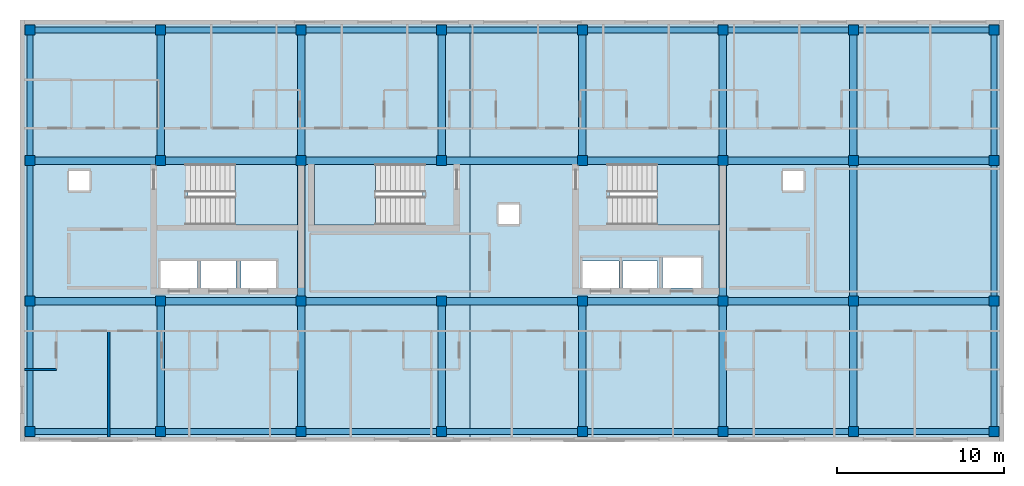
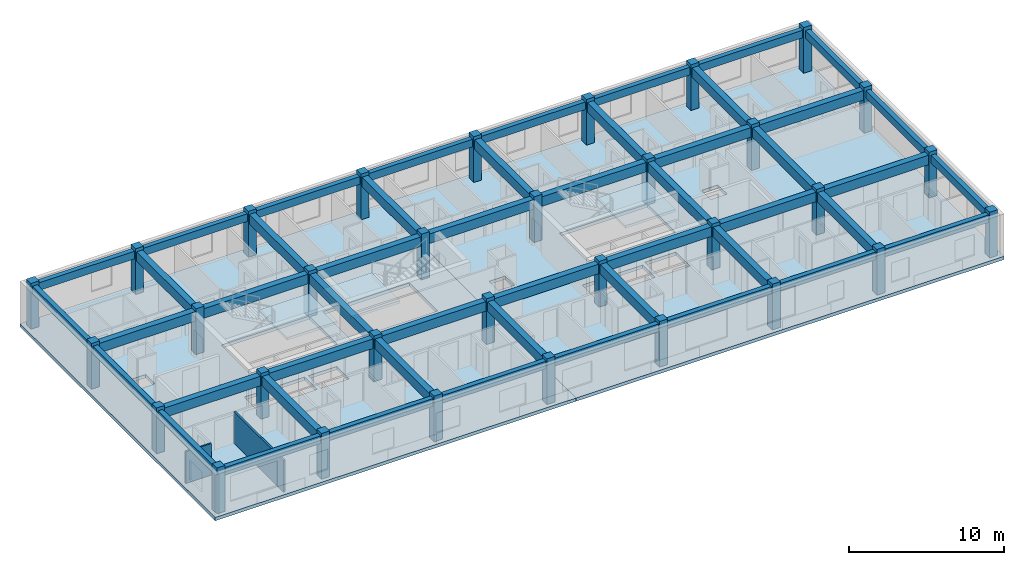
# One storey, part 1 of 9: 49 beams, 32 columns, 5 slabs, 2 walls, 3 elements without a shape of their own.
"""IFC4 building model written with IfcOpenShell, lengths in metres."""

from ifc_helpers import new_model, si_unit, direction, frame, frame_2d, origin, origin_2d, place, context, subcontext, project, spatial, polyline, rectangle, outline, extrude, material, layer, layer_set, material_profile, profile_set, type_object, element, aggregate, save


model = new_model("IFC4")

# Units and contexts
model_context = context("Model", 3, precision=1e-05, world=origin(), true_north=direction((0.0, 1.0)))
body_context = subcontext(model_context, "Body", "Model", "MODEL_VIEW")
ifc_project = project(units=[si_unit("LENGTHUNIT", "METRE"), si_unit("AREAUNIT", "SQUARE_METRE"), si_unit("VOLUMEUNIT", "CUBIC_METRE"), si_unit("PLANEANGLEUNIT", "RADIAN"), si_unit("MASSUNIT", "GRAM", prefix="KILO")], contexts=[model_context])

# Site, building, storey
site_placement = place(None, origin())
site = spatial("IfcSite", under=ifc_project, at=site_placement, CompositionType="ELEMENT")
building_placement = place(site_placement, origin())
building = spatial("IfcBuilding", under=site, at=building_placement, Name="Zayran Congress Hotel", CompositionType="ELEMENT")
storey_placement = place(building_placement, frame((0.0, 0.0, 37.199951171875)))
storey = spatial("IfcBuildingStorey", under=building, at=storey_placement, Name="L09", CompositionType="ELEMENT", Elevation=37.199951171875)

# Columns
ifc_material_1 = material(Name="Concrete C40/50", Category="concrete")
ifc_material_profile_1 = material_profile(ifc_material_1, rectangle(XDim=0.60009765625, YDim=0.60009765625, at=origin_2d()), Name="RC 600x600")
ifc_profile_set_1 = profile_set([ifc_material_profile_1], Name="Concrete C40/50")
column_type = type_object("IfcColumnType", Name="TP-CL-04", PredefinedType="COLUMN", material=ifc_profile_set_1)
for number, where, z_axis, x_axis, name in (
    (1, (17.39990234375, 9.39990234375, 0.0), (0.0, 0.0, 1.0), (1.0, 0.0, 0.0), "COL-V5-L09-1292"),
    (2, (17.39990234375, 17.199951171875, 0.0), (0.0, 0.0, 1.0), (1.0, 0.0, 0.0), "COL-V5-L09-1293"),
    (3, (17.39990234375, 25.60009765625, 0.0), (0.0, 0.0, 1.0), (1.0, 0.0, 0.0), "COL-V5-L09-1294"),
    (4, (17.39990234375, 33.39990234375, 0.0), (0.0, 0.0, 1.0), (1.0, 0.0, 0.0), "COL-V5-L09-1295"),
    (5, (25.199951171875, 9.39990234375, 0.0), (0.0, 0.0, 1.0), (1.0, 0.0, 0.0), "COL-V5-L09-1296"),
    (6, (25.199951171875, 17.199951171875, 0.0), (0.0, 0.0, 1.0), (1.0, 0.0, 0.0), "COL-V5-L09-1297"),
    (7, (25.199951171875, 25.60009765625, 0.0), (0.0, 0.0, 1.0), (1.0, 0.0, 0.0), "COL-V5-L09-1298"),
    (8, (25.199951171875, 33.39990234375, 0.0), (0.0, 0.0, 1.0), (1.0, 0.0, 0.0), "COL-V5-L09-1299"),
    (9, (33.60009765625, 9.39990234375, 0.0), (0.0, 0.0, 1.0), (1.0, 0.0, 0.0), "COL-V5-L09-1300"),
    (10, (33.60009765625, 17.199951171875, 0.0), (0.0, 0.0, 1.0), (1.0, 0.0, 0.0), "COL-V5-L09-1301"),
    (11, (33.60009765625, 25.60009765625, 0.0), (0.0, 0.0, 1.0), (1.0, 0.0, 0.0), "COL-V5-L09-1302"),
    (12, (33.60009765625, 33.39990234375, 0.0), (0.0, 0.0, 1.0), (1.0, 0.0, 0.0), "COL-V5-L09-1303"),
    (13, (42.0, 9.39990234375, 0.0), (0.0, 0.0, 1.0), (1.0, 0.0, 0.0), "COL-V5-L09-1304"),
    (14, (42.0, 17.199951171875, 0.0), (0.0, 0.0, 1.0), (1.0, 0.0, 0.0), "COL-V5-L09-1305"),
    (15, (42.0, 25.60009765625, 0.0), (0.0, 0.0, 1.0), (1.0, 0.0, 0.0), "COL-V5-L09-1306"),
    (16, (42.0, 33.39990234375, 0.0), (0.0, 0.0, 1.0), (1.0, 0.0, 0.0), "COL-V5-L09-1307"),
    (17, (50.39990234375, 9.39990234375, 0.0), (0.0, 0.0, 1.0), (1.0, 0.0, 0.0), "COL-V5-L09-1308"),
    (18, (50.39990234375, 17.199951171875, 0.0), (0.0, 0.0, 1.0), (1.0, 0.0, 0.0), "COL-V5-L09-1309"),
    (19, (50.39990234375, 25.60009765625, 0.0), (0.0, 0.0, 1.0), (1.0, 0.0, 0.0), "COL-V5-L09-1310"),
    (20, (50.39990234375, 33.39990234375, 0.0), (0.0, 0.0, 1.0), (1.0, 0.0, 0.0), "COL-V5-L09-1311"),
    (21, (58.800048828125, 9.39990234375, 0.0), (0.0, 0.0, 1.0), (1.0, 0.0, 0.0), "COL-V5-L09-1312"),
    (22, (58.800048828125, 17.199951171875, 0.0), (0.0, 0.0, 1.0), (1.0, 0.0, 0.0), "COL-V5-L09-1313"),
    (23, (58.800048828125, 25.60009765625, 0.0), (0.0, 0.0, 1.0), (1.0, 0.0, 0.0), "COL-V5-L09-1314"),
    (24, (58.800048828125, 33.39990234375, 0.0), (0.0, 0.0, 1.0), (1.0, 0.0, 0.0), "COL-V5-L09-1315"),
    (25, (66.60009765625, 9.39990234375, 0.0), (0.0, 0.0, 1.0), (1.0, 0.0, 0.0), "COL-V5-L09-1316"),
    (26, (66.60009765625, 17.199951171875, 0.0), (0.0, 0.0, 1.0), (1.0, 0.0, 0.0), "COL-V5-L09-1317"),
    (27, (66.60009765625, 25.60009765625, 0.0), (0.0, 0.0, 1.0), (1.0, 0.0, 0.0), "COL-V5-L09-1318"),
    (28, (66.60009765625, 33.39990234375, 0.0), (0.0, 0.0, 1.0), (1.0, 0.0, 0.0), "COL-V5-L09-1319"),
    (29, (75.0, 9.39990234375, 0.0), (0.0, 0.0, 1.0), (1.0, 0.0, 0.0), "COL-V5-L09-1320"),
    (30, (75.0, 17.199951171875, 0.0), (0.0, 0.0, 1.0), (1.0, 0.0, 0.0), "COL-V5-L09-1321"),
    (31, (75.0, 25.60009765625, 0.0), (0.0, 0.0, 1.0), (1.0, 0.0, 0.0), "COL-V5-L09-1322"),
    (32, (75.0, 33.39990234375, 0.0), (0.0, 0.0, 1.0), (1.0, 0.0, 0.0), "COL-V5-L09-1323"),
):
    element("IfcColumn", number, at=place(storey_placement, frame(where, z_axis=z_axis, x_axis=x_axis)), inside=storey, type_object=column_type, Name=name, PredefinedType="COLUMN", context=body_context, shape_type="SweptSolid", body=[
        extrude(rectangle(XDim=0.60009765625, YDim=0.60009765625, at=origin_2d()), origin(), (0.0, 0.0, 1.0), 3.60009765625),
    ])

# Beams
ifc_material_profile_2 = material_profile(ifc_material_1, rectangle(XDim=0.449951171875, YDim=0.75, at=origin_2d()), Name="RC 450x750")
ifc_profile_set_2 = profile_set([ifc_material_profile_2], Name="Concrete C40/50")
beam_type_1 = type_object("IfcBeamType", Name="TP-BM-02", PredefinedType="BEAM", material=ifc_profile_set_2)
beam_1_placement = place(storey_placement, frame((17.39990234375, 17.199951171875, 2.965087890625), z_axis=(1.0, 0.0, 0.0), x_axis=(0.0, 1.0, 0.0)))
element("IfcBeam", 33, at=beam_1_placement, inside=storey, type_object=beam_type_1, Name="BM-V5-L09-2272", PredefinedType="BEAM", context=body_context, shape_type="SweptSolid", body=[
    extrude(rectangle(XDim=0.449951171875, YDim=0.75, at=origin_2d()), origin(), (0.0, 0.0, 1.0), 7.800048828125),
])
beam_2_placement = place(storey_placement, frame((25.199951171875, 17.199951171875, 2.965087890625), z_axis=(1.0, 0.0, 0.0), x_axis=(0.0, 1.0, 0.0)))
element("IfcBeam", 34, at=beam_2_placement, inside=storey, type_object=beam_type_1, Name="BM-V5-L09-2273", PredefinedType="BEAM", context=body_context, shape_type="SweptSolid", body=[
    extrude(rectangle(XDim=0.449951171875, YDim=0.75, at=origin_2d()), origin(), (0.0, 0.0, 1.0), 8.400146484375),
])
for number, where, z_axis, x_axis, name in (
    (35, (33.60009765625, 17.199951171875, 2.965087890625), (1.0, 0.0, 0.0), (0.0, 1.0, 0.0), "BM-V5-L09-2274"),
    (36, (42.0, 17.199951171875, 2.965087890625), (1.0, 0.0, 0.0), (0.0, 1.0, 0.0), "BM-V5-L09-2275"),
):
    element("IfcBeam", number, at=place(storey_placement, frame(where, z_axis=z_axis, x_axis=x_axis)), inside=storey, type_object=beam_type_1, Name=name, PredefinedType="BEAM", context=body_context, shape_type="SweptSolid", body=[
        extrude(rectangle(XDim=0.449951171875, YDim=0.75, at=origin_2d()), origin(), (0.0, 0.0, 1.0), 8.39990234375),
    ])
beam_3_placement = place(storey_placement, frame((50.39990234375, 17.199951171875, 2.965087890625), z_axis=(1.0, 0.0, 0.0), x_axis=(0.0, 1.0, 0.0)))
element("IfcBeam", 37, at=beam_3_placement, inside=storey, type_object=beam_type_1, Name="BM-V5-L09-2276", PredefinedType="BEAM", context=body_context, shape_type="SweptSolid", body=[
    extrude(rectangle(XDim=0.449951171875, YDim=0.75, at=origin_2d()), origin(), (0.0, 0.0, 1.0), 8.400146484375),
])
beam_4_placement = place(storey_placement, frame((58.800048828125, 17.199951171875, 2.965087890625), z_axis=(1.0, 0.0, 0.0), x_axis=(0.0, 1.0, 0.0)))
element("IfcBeam", 38, at=beam_4_placement, inside=storey, type_object=beam_type_1, Name="BM-V5-L09-2277", PredefinedType="BEAM", context=body_context, shape_type="SweptSolid", body=[
    extrude(rectangle(XDim=0.449951171875, YDim=0.75, at=origin_2d()), origin(), (0.0, 0.0, 1.0), 7.800048828125),
])
beam_5_placement = place(storey_placement, frame((66.60009765625, 17.199951171875, 2.945068359375), z_axis=(1.0, 0.0, 0.0), x_axis=(0.0, 1.0, 0.0)))
element("IfcBeam", 39, at=beam_5_placement, inside=storey, type_object=beam_type_1, Name="BM-V5-L09-2278", PredefinedType="BEAM", context=body_context, shape_type="SweptSolid", body=[
    extrude(rectangle(XDim=0.449951171875, YDim=0.75, at=origin_2d()), origin(), (0.0, 0.0, 1.0), 8.39990234375),
])
beam_6_placement = place(storey_placement, frame((17.39990234375, 25.60009765625, 2.965087890625), z_axis=(1.0, 0.0, 0.0), x_axis=(0.0, 1.0, 0.0)))
element("IfcBeam", 40, at=beam_6_placement, inside=storey, type_object=beam_type_1, Name="BM-V5-L09-2279", PredefinedType="BEAM", context=body_context, shape_type="SweptSolid", body=[
    extrude(rectangle(XDim=0.449951171875, YDim=0.75, at=origin_2d()), origin(), (0.0, 0.0, 1.0), 7.800048828125),
])
beam_7_placement = place(storey_placement, frame((25.199951171875, 25.60009765625, 2.965087890625), z_axis=(1.0, 0.0, 0.0), x_axis=(0.0, 1.0, 0.0)))
element("IfcBeam", 41, at=beam_7_placement, inside=storey, type_object=beam_type_1, Name="BM-V5-L09-2280", PredefinedType="BEAM", context=body_context, shape_type="SweptSolid", body=[
    extrude(rectangle(XDim=0.449951171875, YDim=0.75, at=origin_2d()), origin(), (0.0, 0.0, 1.0), 8.400146484375),
])
for number, where, z_axis, x_axis, name in (
    (42, (33.60009765625, 25.60009765625, 2.965087890625), (1.0, 0.0, 0.0), (0.0, 1.0, 0.0), "BM-V5-L09-2281"),
    (43, (42.0, 25.60009765625, 2.965087890625), (1.0, 0.0, 0.0), (0.0, 1.0, 0.0), "BM-V5-L09-2282"),
):
    element("IfcBeam", number, at=place(storey_placement, frame(where, z_axis=z_axis, x_axis=x_axis)), inside=storey, type_object=beam_type_1, Name=name, PredefinedType="BEAM", context=body_context, shape_type="SweptSolid", body=[
        extrude(rectangle(XDim=0.449951171875, YDim=0.75, at=origin_2d()), origin(), (0.0, 0.0, 1.0), 8.39990234375),
    ])
beam_8_placement = place(storey_placement, frame((50.39990234375, 25.60009765625, 2.965087890625), z_axis=(1.0, 0.0, 0.0), x_axis=(0.0, 1.0, 0.0)))
element("IfcBeam", 44, at=beam_8_placement, inside=storey, type_object=beam_type_1, Name="BM-V5-L09-2283", PredefinedType="BEAM", context=body_context, shape_type="SweptSolid", body=[
    extrude(rectangle(XDim=0.449951171875, YDim=0.75, at=origin_2d()), origin(), (0.0, 0.0, 1.0), 8.400146484375),
])
beam_9_placement = place(storey_placement, frame((58.800048828125, 25.60009765625, 2.965087890625), z_axis=(1.0, 0.0, 0.0), x_axis=(0.0, 1.0, 0.0)))
element("IfcBeam", 45, at=beam_9_placement, inside=storey, type_object=beam_type_1, Name="BM-V5-L09-2284", PredefinedType="BEAM", context=body_context, shape_type="SweptSolid", body=[
    extrude(rectangle(XDim=0.449951171875, YDim=0.75, at=origin_2d()), origin(), (0.0, 0.0, 1.0), 7.800048828125),
])
beam_10_placement = place(storey_placement, frame((66.60009765625, 25.60009765625, 2.945068359375), z_axis=(1.0, 0.0, 0.0), x_axis=(0.0, 1.0, 0.0)))
element("IfcBeam", 46, at=beam_10_placement, inside=storey, type_object=beam_type_1, Name="BM-V5-L09-2285", PredefinedType="BEAM", context=body_context, shape_type="SweptSolid", body=[
    extrude(rectangle(XDim=0.449951171875, YDim=0.75, at=origin_2d()), origin(), (0.0, 0.0, 1.0), 8.39990234375),
])
beam_11_placement = place(storey_placement, frame((25.199951171875, 9.39990234375, 2.965087890625), z_axis=(0.0, 1.0, 0.0), x_axis=(-1.0, 0.0, 0.0)))
element("IfcBeam", 47, at=beam_11_placement, inside=storey, type_object=beam_type_1, Name="BM-V5-L09-2296", PredefinedType="BEAM", context=body_context, shape_type="SweptSolid", body=[
    extrude(rectangle(XDim=0.449951171875, YDim=0.75, at=origin_2d()), origin(), (0.0, 0.0, 1.0), 7.800048828125),
])
beam_12_placement = place(storey_placement, frame((25.199951171875, 25.60009765625, 2.965087890625), z_axis=(0.0, 1.0, 0.0), x_axis=(-1.0, 0.0, 0.0)))
element("IfcBeam", 48, at=beam_12_placement, inside=storey, type_object=beam_type_1, Name="BM-V5-L09-2297", PredefinedType="BEAM", context=body_context, shape_type="SweptSolid", body=[
    extrude(rectangle(XDim=0.449951171875, YDim=0.75, at=origin_2d()), origin(), (0.0, 0.0, 1.0), 7.7998046875),
])
beam_13_placement = place(storey_placement, frame((33.60009765625, 9.39990234375, 2.965087890625), z_axis=(0.0, 1.0, 0.0), x_axis=(-1.0, 0.0, 0.0)))
element("IfcBeam", 49, at=beam_13_placement, inside=storey, type_object=beam_type_1, Name="BM-V5-L09-2298", PredefinedType="BEAM", context=body_context, shape_type="SweptSolid", body=[
    extrude(rectangle(XDim=0.449951171875, YDim=0.75, at=origin_2d()), origin(), (0.0, 0.0, 1.0), 7.800048828125),
])
beam_14_placement = place(storey_placement, frame((33.60009765625, 17.199951171875, 2.965087890625), z_axis=(0.0, 1.0, 0.0), x_axis=(-1.0, 0.0, 0.0)))
element("IfcBeam", 50, at=beam_14_placement, inside=storey, type_object=beam_type_1, Name="BM-V5-L09-2299", PredefinedType="BEAM", context=body_context, shape_type="SweptSolid", body=[
    extrude(rectangle(XDim=0.449951171875, YDim=0.75, at=origin_2d()), origin(), (0.0, 0.0, 1.0), 8.400146484375),
])
beam_15_placement = place(storey_placement, frame((33.60009765625, 25.60009765625, 2.965087890625), z_axis=(0.0, 1.0, 0.0), x_axis=(-1.0, 0.0, 0.0)))
element("IfcBeam", 51, at=beam_15_placement, inside=storey, type_object=beam_type_1, Name="BM-V5-L09-2300", PredefinedType="BEAM", context=body_context, shape_type="SweptSolid", body=[
    extrude(rectangle(XDim=0.449951171875, YDim=0.75, at=origin_2d()), origin(), (0.0, 0.0, 1.0), 7.7998046875),
])
beam_16_placement = place(storey_placement, frame((42.0, 9.39990234375, 2.965087890625), z_axis=(0.0, 1.0, 0.0), x_axis=(-1.0, 0.0, 0.0)))
element("IfcBeam", 52, at=beam_16_placement, inside=storey, type_object=beam_type_1, Name="BM-V5-L09-2301", PredefinedType="BEAM", context=body_context, shape_type="SweptSolid", body=[
    extrude(rectangle(XDim=0.449951171875, YDim=0.75, at=origin_2d()), origin(), (0.0, 0.0, 1.0), 7.800048828125),
])
beam_17_placement = place(storey_placement, frame((42.0, 25.60009765625, 2.965087890625), z_axis=(0.0, 1.0, 0.0), x_axis=(-1.0, 0.0, 0.0)))
element("IfcBeam", 53, at=beam_17_placement, inside=storey, type_object=beam_type_1, Name="BM-V5-L09-2303", PredefinedType="BEAM", context=body_context, shape_type="SweptSolid", body=[
    extrude(rectangle(XDim=0.449951171875, YDim=0.75, at=origin_2d()), origin(), (0.0, 0.0, 1.0), 7.7998046875),
])
beam_18_placement = place(storey_placement, frame((50.39990234375, 9.39990234375, 2.965087890625), z_axis=(0.0, 1.0, 0.0), x_axis=(-1.0, 0.0, 0.0)))
element("IfcBeam", 54, at=beam_18_placement, inside=storey, type_object=beam_type_1, Name="BM-V5-L09-2304", PredefinedType="BEAM", context=body_context, shape_type="SweptSolid", body=[
    extrude(rectangle(XDim=0.449951171875, YDim=0.75, at=origin_2d()), origin(), (0.0, 0.0, 1.0), 7.800048828125),
])
beam_19_placement = place(storey_placement, frame((50.39990234375, 25.60009765625, 2.965087890625), z_axis=(0.0, 1.0, 0.0), x_axis=(-1.0, 0.0, 0.0)))
element("IfcBeam", 55, at=beam_19_placement, inside=storey, type_object=beam_type_1, Name="BM-V5-L09-2305", PredefinedType="BEAM", context=body_context, shape_type="SweptSolid", body=[
    extrude(rectangle(XDim=0.449951171875, YDim=0.75, at=origin_2d()), origin(), (0.0, 0.0, 1.0), 7.7998046875),
])
beam_20_placement = place(storey_placement, frame((58.800048828125, 9.39990234375, 2.965087890625), z_axis=(0.0, 1.0, 0.0), x_axis=(-1.0, 0.0, 0.0)))
element("IfcBeam", 56, at=beam_20_placement, inside=storey, type_object=beam_type_1, Name="BM-V5-L09-2306", PredefinedType="BEAM", context=body_context, shape_type="SweptSolid", body=[
    extrude(rectangle(XDim=0.449951171875, YDim=0.75, at=origin_2d()), origin(), (0.0, 0.0, 1.0), 7.800048828125),
])
beam_21_placement = place(storey_placement, frame((58.800048828125, 17.199951171875, 2.965087890625), z_axis=(0.0, 1.0, 0.0), x_axis=(-1.0, 0.0, 0.0)))
element("IfcBeam", 57, at=beam_21_placement, inside=storey, type_object=beam_type_1, Name="BM-V5-L09-2307", PredefinedType="BEAM", context=body_context, shape_type="SweptSolid", body=[
    extrude(rectangle(XDim=0.449951171875, YDim=0.75, at=origin_2d()), origin(), (0.0, 0.0, 1.0), 8.400146484375),
])
beam_22_placement = place(storey_placement, frame((58.800048828125, 25.60009765625, 2.965087890625), z_axis=(0.0, 1.0, 0.0), x_axis=(-1.0, 0.0, 0.0)))
element("IfcBeam", 58, at=beam_22_placement, inside=storey, type_object=beam_type_1, Name="BM-V5-L09-2308", PredefinedType="BEAM", context=body_context, shape_type="SweptSolid", body=[
    extrude(rectangle(XDim=0.449951171875, YDim=0.75, at=origin_2d()), origin(), (0.0, 0.0, 1.0), 7.7998046875),
])
beam_23_placement = place(storey_placement, frame((66.60009765625, 9.39990234375, 2.965087890625), z_axis=(0.0, 1.0, 0.0), x_axis=(-1.0, 0.0, 0.0)))
element("IfcBeam", 59, at=beam_23_placement, inside=storey, type_object=beam_type_1, Name="BM-V5-L09-2309", PredefinedType="BEAM", context=body_context, shape_type="SweptSolid", body=[
    extrude(rectangle(XDim=0.449951171875, YDim=0.75, at=origin_2d()), origin(), (0.0, 0.0, 1.0), 7.800048828125),
])
beam_24_placement = place(storey_placement, frame((66.60009765625, 17.199951171875, 2.965087890625), z_axis=(0.0, 1.0, 0.0), x_axis=(-1.0, 0.0, 0.0)))
element("IfcBeam", 60, at=beam_24_placement, inside=storey, type_object=beam_type_1, Name="BM-V5-L09-2310", PredefinedType="BEAM", context=body_context, shape_type="SweptSolid", body=[
    extrude(rectangle(XDim=0.449951171875, YDim=0.75, at=origin_2d()), origin(), (0.0, 0.0, 1.0), 8.400146484375),
])
beam_25_placement = place(storey_placement, frame((66.60009765625, 25.60009765625, 2.965087890625), z_axis=(0.0, 1.0, 0.0), x_axis=(-1.0, 0.0, 0.0)))
element("IfcBeam", 61, at=beam_25_placement, inside=storey, type_object=beam_type_1, Name="BM-V5-L09-2311", PredefinedType="BEAM", context=body_context, shape_type="SweptSolid", body=[
    extrude(rectangle(XDim=0.449951171875, YDim=0.75, at=origin_2d()), origin(), (0.0, 0.0, 1.0), 7.7998046875),
])
ifc_material_profile_3 = material_profile(ifc_material_1, rectangle(XDim=0.35009765625, YDim=0.60009765625, at=origin_2d()), Name="RC 350x600")
ifc_profile_set_3 = profile_set([ifc_material_profile_3], Name="Concrete C40/50")
beam_type_2 = type_object("IfcBeamType", Name="TP-SP-01", PredefinedType="SPANDREL", material=ifc_profile_set_3)
beam_26_placement = place(storey_placement, frame((17.39990234375, 9.39990234375, 3.0400390625), z_axis=(1.0, 0.0, 0.0), x_axis=(0.0, 1.0, 0.0)))
element("IfcBeam", 62, at=beam_26_placement, inside=storey, type_object=beam_type_2, Name="BM-V5-L09-2265", PredefinedType="SPANDREL", context=body_context, shape_type="SweptSolid", body=[
    extrude(rectangle(XDim=0.35009765625, YDim=0.60009765625, at=origin_2d()), origin(), (0.0, 0.0, 1.0), 7.800048828125),
])
beam_27_placement = place(storey_placement, frame((25.199951171875, 9.39990234375, 3.0400390625), z_axis=(1.0, 0.0, 0.0), x_axis=(0.0, 1.0, 0.0)))
element("IfcBeam", 63, at=beam_27_placement, inside=storey, type_object=beam_type_2, Name="BM-V5-L09-2266", PredefinedType="SPANDREL", context=body_context, shape_type="SweptSolid", body=[
    extrude(rectangle(XDim=0.35009765625, YDim=0.60009765625, at=origin_2d()), origin(), (0.0, 0.0, 1.0), 8.400146484375),
])
for number, where, z_axis, x_axis, name in (
    (64, (33.60009765625, 9.39990234375, 3.0400390625), (1.0, 0.0, 0.0), (0.0, 1.0, 0.0), "BM-V5-L09-2267"),
    (65, (42.0, 9.39990234375, 3.0400390625), (1.0, 0.0, 0.0), (0.0, 1.0, 0.0), "BM-V5-L09-2268"),
):
    element("IfcBeam", number, at=place(storey_placement, frame(where, z_axis=z_axis, x_axis=x_axis)), inside=storey, type_object=beam_type_2, Name=name, PredefinedType="SPANDREL", context=body_context, shape_type="SweptSolid", body=[
        extrude(rectangle(XDim=0.35009765625, YDim=0.60009765625, at=origin_2d()), origin(), (0.0, 0.0, 1.0), 8.39990234375),
    ])
beam_28_placement = place(storey_placement, frame((50.39990234375, 9.39990234375, 3.0400390625), z_axis=(1.0, 0.0, 0.0), x_axis=(0.0, 1.0, 0.0)))
element("IfcBeam", 66, at=beam_28_placement, inside=storey, type_object=beam_type_2, Name="BM-V5-L09-2269", PredefinedType="SPANDREL", context=body_context, shape_type="SweptSolid", body=[
    extrude(rectangle(XDim=0.35009765625, YDim=0.60009765625, at=origin_2d()), origin(), (0.0, 0.0, 1.0), 8.400146484375),
])
beam_29_placement = place(storey_placement, frame((58.800048828125, 9.39990234375, 3.0400390625), z_axis=(1.0, 0.0, 0.0), x_axis=(0.0, 1.0, 0.0)))
element("IfcBeam", 67, at=beam_29_placement, inside=storey, type_object=beam_type_2, Name="BM-V5-L09-2270", PredefinedType="SPANDREL", context=body_context, shape_type="SweptSolid", body=[
    extrude(rectangle(XDim=0.35009765625, YDim=0.60009765625, at=origin_2d()), origin(), (0.0, 0.0, 1.0), 7.800048828125),
])
beam_30_placement = place(storey_placement, frame((66.60009765625, 9.39990234375, 3.02001953125), z_axis=(1.0, 0.0, 0.0), x_axis=(0.0, 1.0, 0.0)))
element("IfcBeam", 68, at=beam_30_placement, inside=storey, type_object=beam_type_2, Name="BM-V5-L09-2271", PredefinedType="SPANDREL", context=body_context, shape_type="SweptSolid", body=[
    extrude(rectangle(XDim=0.35009765625, YDim=0.60009765625, at=origin_2d()), origin(), (0.0, 0.0, 1.0), 8.39990234375),
])
beam_31_placement = place(storey_placement, frame((17.39990234375, 33.39990234375, 3.0400390625), z_axis=(1.0, 0.0, 0.0), x_axis=(0.0, 1.0, 0.0)))
element("IfcBeam", 69, at=beam_31_placement, inside=storey, type_object=beam_type_2, Name="BM-V5-L09-2286", PredefinedType="SPANDREL", context=body_context, shape_type="SweptSolid", body=[
    extrude(rectangle(XDim=0.35009765625, YDim=0.60009765625, at=origin_2d()), origin(), (0.0, 0.0, 1.0), 7.800048828125),
])
beam_32_placement = place(storey_placement, frame((25.199951171875, 33.39990234375, 3.0400390625), z_axis=(1.0, 0.0, 0.0), x_axis=(0.0, 1.0, 0.0)))
element("IfcBeam", 70, at=beam_32_placement, inside=storey, type_object=beam_type_2, Name="BM-V5-L09-2287", PredefinedType="SPANDREL", context=body_context, shape_type="SweptSolid", body=[
    extrude(rectangle(XDim=0.35009765625, YDim=0.60009765625, at=origin_2d()), origin(), (0.0, 0.0, 1.0), 8.400146484375),
])
for number, where, z_axis, x_axis, name in (
    (71, (33.60009765625, 33.39990234375, 3.0400390625), (1.0, 0.0, 0.0), (0.0, 1.0, 0.0), "BM-V5-L09-2288"),
    (72, (42.0, 33.39990234375, 3.0400390625), (1.0, 0.0, 0.0), (0.0, 1.0, 0.0), "BM-V5-L09-2289"),
):
    element("IfcBeam", number, at=place(storey_placement, frame(where, z_axis=z_axis, x_axis=x_axis)), inside=storey, type_object=beam_type_2, Name=name, PredefinedType="SPANDREL", context=body_context, shape_type="SweptSolid", body=[
        extrude(rectangle(XDim=0.35009765625, YDim=0.60009765625, at=origin_2d()), origin(), (0.0, 0.0, 1.0), 8.39990234375),
    ])
beam_33_placement = place(storey_placement, frame((50.39990234375, 33.39990234375, 3.0400390625), z_axis=(1.0, 0.0, 0.0), x_axis=(0.0, 1.0, 0.0)))
element("IfcBeam", 73, at=beam_33_placement, inside=storey, type_object=beam_type_2, Name="BM-V5-L09-2290", PredefinedType="SPANDREL", context=body_context, shape_type="SweptSolid", body=[
    extrude(rectangle(XDim=0.35009765625, YDim=0.60009765625, at=origin_2d()), origin(), (0.0, 0.0, 1.0), 8.400146484375),
])
beam_34_placement = place(storey_placement, frame((58.800048828125, 33.39990234375, 3.0400390625), z_axis=(1.0, 0.0, 0.0), x_axis=(0.0, 1.0, 0.0)))
element("IfcBeam", 74, at=beam_34_placement, inside=storey, type_object=beam_type_2, Name="BM-V5-L09-2291", PredefinedType="SPANDREL", context=body_context, shape_type="SweptSolid", body=[
    extrude(rectangle(XDim=0.35009765625, YDim=0.60009765625, at=origin_2d()), origin(), (0.0, 0.0, 1.0), 7.800048828125),
])
beam_35_placement = place(storey_placement, frame((66.60009765625, 33.39990234375, 3.02001953125), z_axis=(1.0, 0.0, 0.0), x_axis=(0.0, 1.0, 0.0)))
element("IfcBeam", 75, at=beam_35_placement, inside=storey, type_object=beam_type_2, Name="BM-V5-L09-2292", PredefinedType="SPANDREL", context=body_context, shape_type="SweptSolid", body=[
    extrude(rectangle(XDim=0.35009765625, YDim=0.60009765625, at=origin_2d()), origin(), (0.0, 0.0, 1.0), 8.39990234375),
])
beam_36_placement = place(storey_placement, frame((17.39990234375, 9.39990234375, 3.0400390625), z_axis=(0.0, 1.0, 0.0), x_axis=(-1.0, 0.0, 0.0)))
element("IfcBeam", 76, at=beam_36_placement, inside=storey, type_object=beam_type_2, Name="BM-V5-L09-2293", PredefinedType="SPANDREL", context=body_context, shape_type="SweptSolid", body=[
    extrude(rectangle(XDim=0.35009765625, YDim=0.60009765625, at=origin_2d()), origin(), (0.0, 0.0, 1.0), 7.800048828125),
])
beam_37_placement = place(storey_placement, frame((17.39990234375, 17.199951171875, 3.0400390625), z_axis=(0.0, 1.0, 0.0), x_axis=(-1.0, 0.0, 0.0)))
element("IfcBeam", 77, at=beam_37_placement, inside=storey, type_object=beam_type_2, Name="BM-V5-L09-2294", PredefinedType="SPANDREL", context=body_context, shape_type="SweptSolid", body=[
    extrude(rectangle(XDim=0.35009765625, YDim=0.60009765625, at=origin_2d()), origin(), (0.0, 0.0, 1.0), 8.400146484375),
])
beam_38_placement = place(storey_placement, frame((17.39990234375, 25.60009765625, 3.0400390625), z_axis=(0.0, 1.0, 0.0), x_axis=(-1.0, 0.0, 0.0)))
element("IfcBeam", 78, at=beam_38_placement, inside=storey, type_object=beam_type_2, Name="BM-V5-L09-2295", PredefinedType="SPANDREL", context=body_context, shape_type="SweptSolid", body=[
    extrude(rectangle(XDim=0.35009765625, YDim=0.60009765625, at=origin_2d()), origin(), (0.0, 0.0, 1.0), 7.7998046875),
])
beam_39_placement = place(storey_placement, frame((75.0, 9.39990234375, 3.02001953125), z_axis=(0.0, 1.0, 0.0), x_axis=(-1.0, 0.0, 0.0)))
element("IfcBeam", 79, at=beam_39_placement, inside=storey, type_object=beam_type_2, Name="BM-V5-L09-2312", PredefinedType="SPANDREL", context=body_context, shape_type="SweptSolid", body=[
    extrude(rectangle(XDim=0.35009765625, YDim=0.60009765625, at=origin_2d()), origin(), (0.0, 0.0, 1.0), 7.800048828125),
])
beam_40_placement = place(storey_placement, frame((75.0, 17.199951171875, 3.02001953125), z_axis=(0.0, 1.0, 0.0), x_axis=(-1.0, 0.0, 0.0)))
element("IfcBeam", 80, at=beam_40_placement, inside=storey, type_object=beam_type_2, Name="BM-V5-L09-2313", PredefinedType="SPANDREL", context=body_context, shape_type="SweptSolid", body=[
    extrude(rectangle(XDim=0.35009765625, YDim=0.60009765625, at=origin_2d()), origin(), (0.0, 0.0, 1.0), 8.400146484375),
])
beam_41_placement = place(storey_placement, frame((75.0, 25.60009765625, 3.02001953125), z_axis=(0.0, 1.0, 0.0), x_axis=(-1.0, 0.0, 0.0)))
element("IfcBeam", 81, at=beam_41_placement, inside=storey, type_object=beam_type_2, Name="BM-V5-L09-2314", PredefinedType="SPANDREL", context=body_context, shape_type="SweptSolid", body=[
    extrude(rectangle(XDim=0.35009765625, YDim=0.60009765625, at=origin_2d()), origin(), (0.0, 0.0, 1.0), 7.7998046875),
])

# Slabs
ifc_material_2 = material(Name="Concrete C32/40", Category="concrete")
ifc_layer_1 = layer(ifc_material_2, 0.260009765625)
ifc_layer_set_1 = layer_set([ifc_layer_1], Name="Concrete C32/40")
slab_type_1 = type_object("IfcSlabType", Name="SL-FL-260", PredefinedType="FLOOR", material=ifc_layer_set_1)
slab_1_placement = place(storey_placement, frame((0.0, 0.0, -0.260009765625)))
element("IfcSlab", 82, at=slab_1_placement, inside=storey, type_object=slab_type_1, Name="SLB-V5-L09-050", PredefinedType="FLOOR", context=body_context, shape_type="SweptSolid", body=[
    extrude(outline(polyline([(16.800048828125, 8.800048828125), (43.699951171875, 8.800048828125), (43.699951171875, 34.0), (16.800048828125, 34.0), (16.800048828125, 8.800048828125)]), holes=[polyline([(26.840087890625, 21.760009765625), (33.39990234375, 21.760009765625), (33.39990234375, 25.39990234375), (26.840087890625, 25.39990234375), (26.840087890625, 21.760009765625)]), polyline([(25.199951171875, 18.0), (27.39990234375, 18.0), (27.39990234375, 19.60009765625), (25.199951171875, 19.60009765625), (25.199951171875, 18.0)]), polyline([(27.60009765625, 18.0), (29.699951171875, 18.0), (29.699951171875, 19.60009765625), (27.60009765625, 19.60009765625), (27.60009765625, 18.0)]), polyline([(30.0, 18.0), (32.10009765625, 18.0), (32.10009765625, 19.60009765625), (30.0, 19.60009765625), (30.0, 18.0)]), polyline([(34.39990234375, 21.760009765625), (40.860107421875, 21.760009765625), (40.860107421875, 25.39990234375), (34.39990234375, 25.39990234375), (34.39990234375, 21.760009765625)]), polyline([(19.739990234375, 23.800048828125), (20.9599609375, 23.800048828125), (20.9599609375, 24.97998046875), (19.739990234375, 24.97998046875), (19.739990234375, 23.800048828125)])]), origin(), (0.0, 0.0, 1.0), 0.260009765625),
])
slab_2_placement = place(storey_placement, frame((0.0, 0.0, -0.260009765625)))
element("IfcSlab", 83, at=slab_2_placement, inside=storey, type_object=slab_type_1, Name="SLB-V5-L09-051", PredefinedType="FLOOR", context=body_context, shape_type="SweptSolid", body=[
    extrude(outline(polyline([(43.699951171875, 8.800048828125), (75.60009765625, 8.800048828125), (75.60009765625, 34.0), (43.699951171875, 34.0), (43.699951171875, 8.800048828125)]), holes=[polyline([(52.0400390625, 21.760009765625), (58.60009765625, 21.760009765625), (58.60009765625, 25.39990234375), (52.0400390625, 25.39990234375), (52.0400390625, 21.760009765625)]), polyline([(50.39990234375, 18.0), (52.60009765625, 18.0), (52.60009765625, 19.60009765625), (50.39990234375, 19.60009765625), (50.39990234375, 18.0)]), polyline([(52.800048828125, 18.0), (54.89990234375, 18.0), (54.89990234375, 19.60009765625), (52.800048828125, 19.60009765625), (52.800048828125, 18.0)]), polyline([(55.199951171875, 18.0), (57.5, 18.0), (57.5, 19.800048828125), (55.199951171875, 19.800048828125), (55.199951171875, 18.0)]), polyline([(45.39990234375, 21.800048828125), (46.6201171875, 21.800048828125), (46.6201171875, 22.97998046875), (45.39990234375, 22.97998046875), (45.39990234375, 21.800048828125)]), polyline([(62.39990234375, 23.800048828125), (63.6201171875, 23.800048828125), (63.6201171875, 24.97998046875), (62.39990234375, 24.97998046875), (62.39990234375, 23.800048828125)])]), origin(), (0.0, 0.0, 1.0), 0.260009765625),
])

# Stair, slab
stair_type = type_object("IfcStairType", Name="TP-STR-1700-36", PredefinedType="USERDEFINED", material=ifc_material_2)
stair_1_placement = place(storey_placement, origin())
stair_1 = element("IfcStair", 84, at=stair_1_placement, inside=storey, type_object=stair_type, Name="L09 ST-01", ObjectType="TWO_RETURN_STAIR", PredefinedType="USERDEFINED")
ifc_layer_2 = layer(ifc_material_2, 0.199951171875)
ifc_layer_set_2 = layer_set([ifc_layer_2], Name="Concrete C32/40")
slab_type_2 = type_object("IfcSlabType", Name="TP-LND-1700", PredefinedType="LANDING", material=ifc_layer_set_2)
slab_3_placement = place(storey_placement, frame((0.0, 0.0, 1.60009765625)))
slab_3 = element("IfcSlab", 85, at=slab_3_placement, type_object=slab_type_2, Name="ST-01 landing 1", PredefinedType="LANDING", context=body_context, shape_type="SweptSolid", body=[
    extrude(outline(polyline([(29.64990234375, 21.760009765625), (33.39990234375, 21.760009765625), (33.39990234375, 25.39990234375), (29.64990234375, 25.39990234375), (29.64990234375, 21.760009765625)])), origin(), (0.0, 0.0, 1.0), 0.199951171875),
])
aggregate(stair_1, [slab_3])

stair_2_placement = place(storey_placement, origin())
stair_2 = element("IfcStair", 86, at=stair_2_placement, inside=storey, type_object=stair_type, Name="L09 ST-02", ObjectType="TWO_RETURN_STAIR", PredefinedType="USERDEFINED")
slab_4_placement = place(storey_placement, frame((0.0, 0.0, 1.60009765625)))
slab_4 = element("IfcSlab", 87, at=slab_4_placement, type_object=slab_type_2, Name="ST-02 landing 1", PredefinedType="LANDING", context=body_context, shape_type="SweptSolid", body=[
    extrude(outline(polyline([(54.85009765625, 21.760009765625), (58.60009765625, 21.760009765625), (58.60009765625, 25.39990234375), (54.85009765625, 25.39990234375), (54.85009765625, 21.760009765625)])), origin(), (0.0, 0.0, 1.0), 0.199951171875),
])
aggregate(stair_2, [slab_4])

stair_3_placement = place(storey_placement, origin())
stair_3 = element("IfcStair", 88, at=stair_3_placement, inside=storey, type_object=stair_type, Name="L09 ST-13", ObjectType="TWO_RETURN_STAIR", PredefinedType="USERDEFINED")
slab_5_placement = place(storey_placement, frame((0.0, 0.0, 1.60009765625)))
slab_5 = element("IfcSlab", 89, at=slab_5_placement, type_object=slab_type_2, Name="ST-13 landing 1", PredefinedType="LANDING", context=body_context, shape_type="SweptSolid", body=[
    extrude(outline(polyline([(38.050048828125, 25.39990234375), (34.39990234375, 25.39990234375), (34.39990234375, 21.760009765625), (38.050048828125, 21.760009765625), (38.050048828125, 25.39990234375)])), origin(), (0.0, 0.0, 1.0), 0.199951171875),
])
aggregate(stair_3, [slab_5])

# Walls
ifc_material_3 = material(Name="Hospitality guestroom acoustic partition", Category="gypsum")
ifc_layer_3 = layer(ifc_material_3, 0.139892578125)
ifc_layer_set_3 = layer_set([ifc_layer_3], Name="Hospitality guestroom acoustic partition")
wall_type_1 = type_object("IfcWallType", Name="WL-PT-140", PredefinedType="PARTITIONING", material=ifc_layer_set_3)
wall_1_placement = place(storey_placement, frame((22.10693359375, 9.080078125, 0.0), z_axis=(0.0, 0.0, 1.0), x_axis=(0.0, 1.0, 0.0)))
element("IfcWall", 90, at=wall_1_placement, inside=storey, type_object=wall_type_1, Name="IW-L09-2122", PredefinedType="PARTITIONING", context=body_context, shape_type="SweptSolid", body=[
    extrude(rectangle(XDim=6.349853515625, YDim=0.139892578125, at=frame_2d((3.1748046875, 0.0))), origin(), (0.0, 0.0, 1.0), 2.47998046875),
])
ifc_material_4 = material(Name="Moisture-resistant bathroom partition", Category="gypsum")
ifc_layer_4 = layer(ifc_material_4, 0.1201171875)
ifc_layer_set_4 = layer_set([ifc_layer_4], Name="Moisture-resistant bathroom partition")
wall_type_2 = type_object("IfcWallType", Name="WL-PT-120", PredefinedType="PARTITIONING", material=ifc_layer_set_4)
wall_2_placement = place(storey_placement, frame((17.080078125, 13.1298828125, 0.0), z_axis=(0.0, 0.0, 1.0), x_axis=(1.0, 0.0, 0.0)))
element("IfcWall", 91, at=wall_2_placement, inside=storey, type_object=wall_type_2, Name="IW-L09-1409", PredefinedType="PARTITIONING", context=body_context, shape_type="SweptSolid", body=[
    extrude(rectangle(XDim=1.89990234375, YDim=0.1201171875, at=frame_2d((0.949951171875, 0.0))), origin(), (0.0, 0.0, 1.0), 2.47998046875),
])

save(model, "model.ifc")
